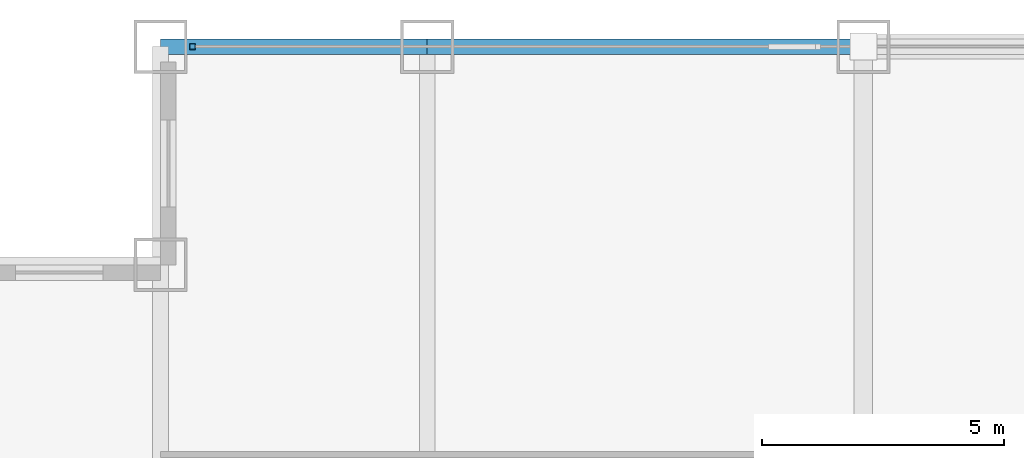
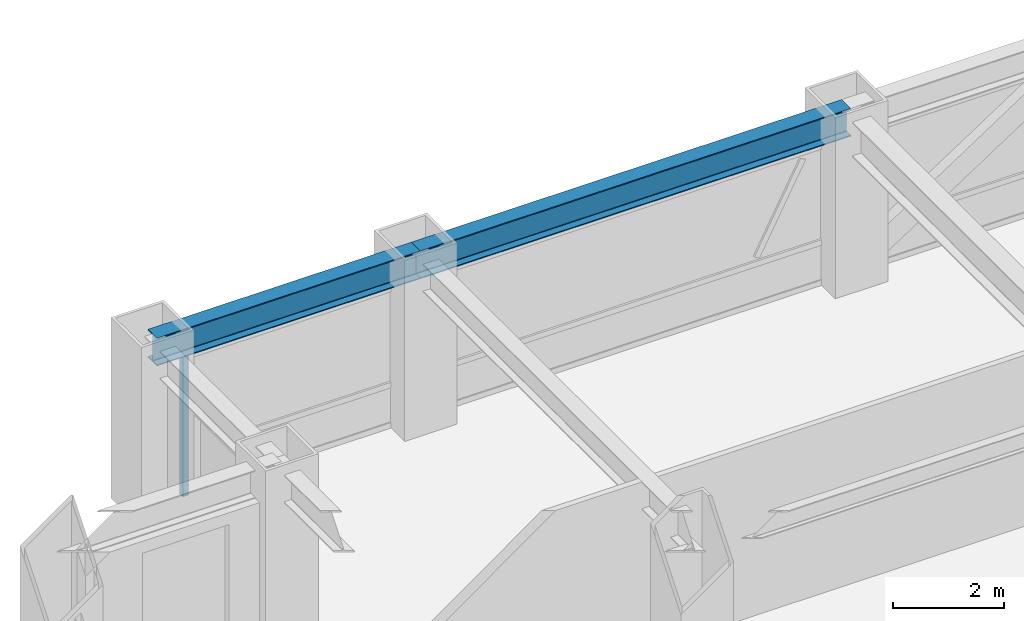
# One storey, part 14 of 25: 2 beams, 1 member, 1 element without a shape of its own.
"""IFC4 building model written with IfcOpenShell, lengths in metres."""

from ifc_helpers import new_model, si_unit, direction, frame, origin, origin_2d, place, context, subcontext, project, spatial, hollow_rectangle, i_section, extrude, source, transform, mapped, material, material_profile, profile_set, type_object, element, aggregate, save


model = new_model("IFC4")

# Units and contexts
model_context = context("Model", 3, precision=1e-05, world=origin(), true_north=direction((0.0, 1.0)))
body_context = subcontext(model_context, "Body", "Model", "MODEL_VIEW")
ifc_project = project(units=[si_unit("LENGTHUNIT", "METRE"), si_unit("AREAUNIT", "SQUARE_METRE"), si_unit("VOLUMEUNIT", "CUBIC_METRE"), si_unit("PLANEANGLEUNIT", "RADIAN"), si_unit("MASSUNIT", "GRAM", prefix="KILO")], contexts=[model_context])

# Site, building, storey
site_placement = place(None, origin())
site = spatial("IfcSite", under=ifc_project, at=site_placement, CompositionType="ELEMENT")
building_placement = place(site_placement, origin())
building = spatial("IfcBuilding", under=site, at=building_placement, Name="Khorayat Bourse Tower", CompositionType="ELEMENT")
storey_placement = place(building_placement, frame((0.0, 0.0, 195.10009765625)))
storey = spatial("IfcBuildingStorey", under=building, at=storey_placement, Name="L45", CompositionType="ELEMENT", Elevation=195.10009765625)

# Beams
ifc_material_1 = material(Name="Steel ASTM A992 Grade 50", Category="steel")
ifc_material_profile_1 = material_profile(ifc_material_1, i_section(OverallWidth=0.324951171875, OverallDepth=0.615966796875, WebThickness=0.013916015625, FlangeThickness=0.021484375, FilletRadius=0.01611328125, at=origin_2d()), Name="W610X174")
ifc_profile_set_1 = profile_set([ifc_material_profile_1], Name="Steel ASTM A992 Grade 50")
beam_type = type_object("IfcBeamType", Name="BM-SPAN-610", PredefinedType="SPANDREL", material=ifc_profile_set_1)
shared_shape_1 = source(origin(), body_context, "Body", "SweptSolid", [
    extrude(i_section(OverallWidth=0.324951171875, OverallDepth=0.615966796875, WebThickness=0.013916015625, FlangeThickness=0.021484375, FilletRadius=0.01611328125, at=origin_2d()), origin(), (0.0, 0.0, 1.0), 5.5),
])
beam_1_placement = place(storey_placement, frame((-25.5, 30.0, 3.471923828125), z_axis=(1.0, 0.0, 0.0), x_axis=(0.0, 1.0, 0.0)))
element("IfcBeam", 1, at=beam_1_placement, inside=storey, type_object=beam_type, Name="L45 BM-SPAN-610 BM-L45-SPN-051", PredefinedType="SPANDREL", context=body_context, shape_type="MappedRepresentation", body=[
    mapped(shared_shape_1, transform((0.0, 0.0, 0.0), scale=1.0)),
])
shared_shape_2 = source(origin(), body_context, "Body", "SweptSolid", [
    extrude(i_section(OverallWidth=0.324951171875, OverallDepth=0.615966796875, WebThickness=0.013916015625, FlangeThickness=0.021484375, FilletRadius=0.01611328125, at=origin_2d()), origin(), (0.0, 0.0, 1.0), 9.0),
])
beam_2_placement = place(storey_placement, frame((-20.0, 30.0, 3.471923828125), z_axis=(1.0, 0.0, 0.0), x_axis=(0.0, 1.0, 0.0)))
element("IfcBeam", 2, at=beam_2_placement, inside=storey, type_object=beam_type, Name="L45 BM-SPAN-610 BM-L45-SPN-050", PredefinedType="SPANDREL", context=body_context, shape_type="MappedRepresentation", body=[
    mapped(shared_shape_2, transform((0.0, 0.0, 0.0), scale=1.0)),
])

# Curtain wall, member
ifc_material_2 = material(Name="Aluminium EN AW-6063 T6", Category="aluminium")
curtain_wall_type = type_object("IfcCurtainWallType", Name="CW-SYS-03", PredefinedType="NOTDEFINED", material=ifc_material_2)
curtain_wall_placement = place(storey_placement, origin())
curtain_wall = element("IfcCurtainWall", 3, at=curtain_wall_placement, inside=storey, type_object=curtain_wall_type, Name="L45 Curtain Wall CW-L45-N1", PredefinedType="NOTDEFINED")
ifc_material_profile_2 = material_profile(ifc_material_2, hollow_rectangle(XDim=0.1201171875, YDim=0.1201171875, WallThickness=0.0048828125, at=origin_2d()), Name="ALU 120x120x5")
ifc_profile_set_2 = profile_set([ifc_material_profile_2], Name="Aluminium EN AW-6063 T6")
member_type = type_object("IfcMemberType", Name="CWM-VERT-120", PredefinedType="MULLION", material=ifc_profile_set_2)
shared_shape_3 = source(origin(), body_context, "Body", "SweptSolid", [
    extrude(hollow_rectangle(XDim=0.1201171875, YDim=0.1201171875, WallThickness=0.0048828125, at=origin_2d()), origin(), (0.0, 0.0, 1.0), 3.1298828125),
])
member_placement = place(storey_placement, frame((-24.840087890625, 30.0, 0.0), z_axis=(0.0, 0.0, 1.0), x_axis=(0.0, 1.0, 0.0)))
member = element("IfcMember", 4, at=member_placement, type_object=member_type, Name="CW-L45-N1 Vertical Mullion 1", PredefinedType="MULLION", context=body_context, shape_type="MappedRepresentation", body=[
    mapped(shared_shape_3, transform((0.0, 0.0, 0.0), scale=1.0)),
])
aggregate(curtain_wall, [member])

save(model, "model.ifc")
